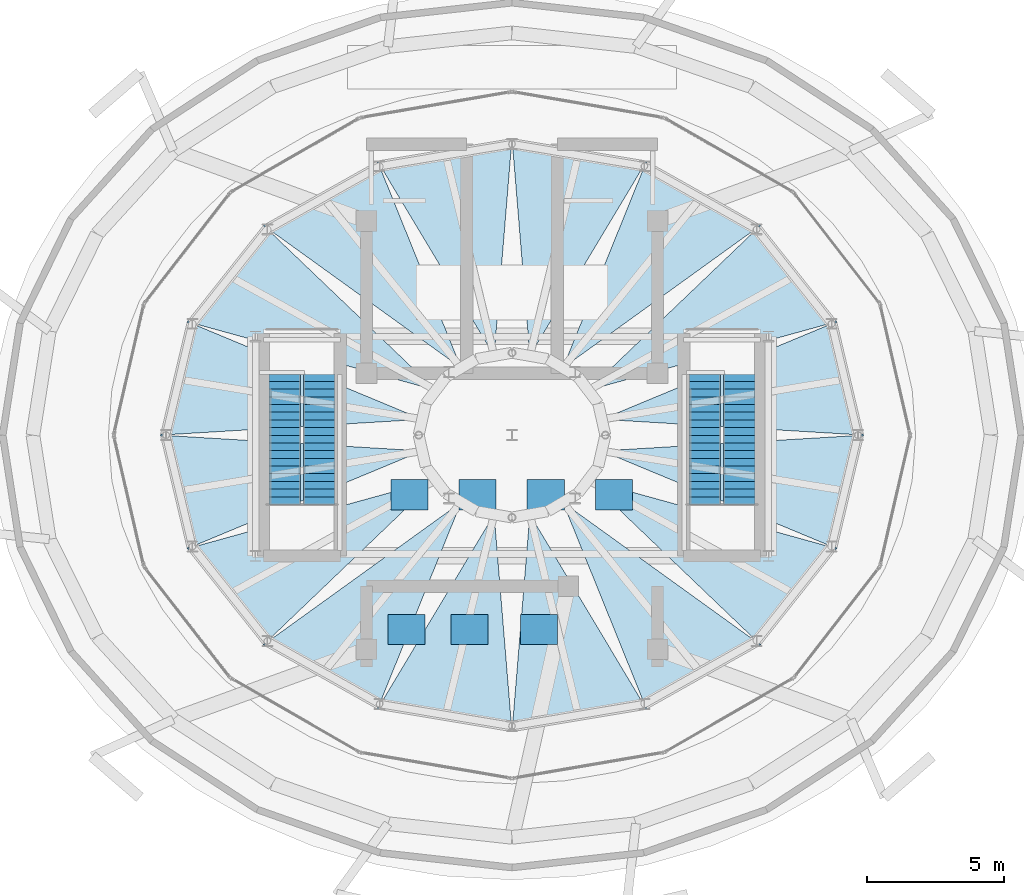
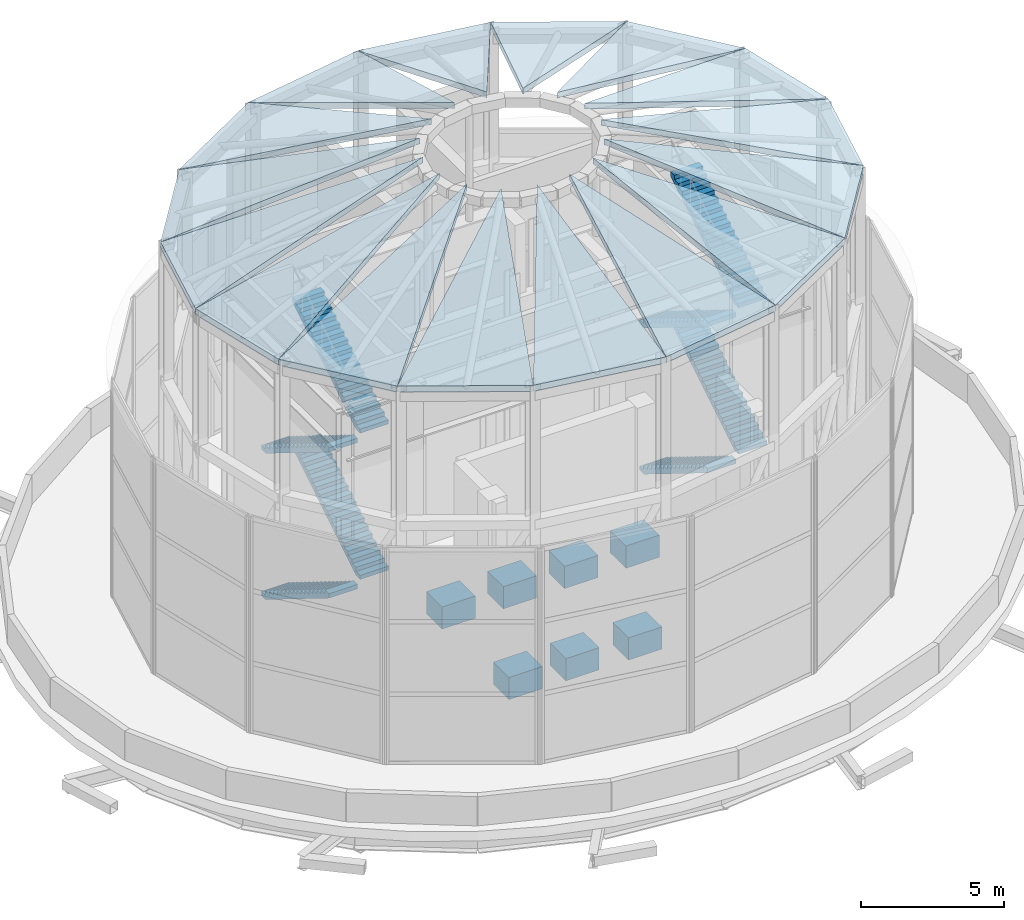
# One storey, part 20 of 22: 16 roofs, 8 stair flights, 7 discrete accessories, 2 elements without a shape of their own.
"""IFC4 building model written with IfcOpenShell, lengths in metres."""

from ifc_helpers import new_model, si_unit, direction, frame, origin, origin_2d, place, context, subcontext, project, spatial, polyline, rectangle, outline, extrude, material, layer, layer_set, type_object, element, aggregate, save


model = new_model("IFC4")

# Units and contexts
model_context = context("Model", 3, precision=1e-05, world=origin(), true_north=direction((0.0, 1.0)))
body_context = subcontext(model_context, "Body", "Model", "MODEL_VIEW")
ifc_project = project(units=[si_unit("LENGTHUNIT", "METRE"), si_unit("AREAUNIT", "SQUARE_METRE"), si_unit("VOLUMEUNIT", "CUBIC_METRE"), si_unit("PLANEANGLEUNIT", "RADIAN"), si_unit("MASSUNIT", "GRAM", prefix="KILO")], contexts=[model_context])

# Site, building, storey
site_placement = place(None, origin())
site = spatial("IfcSite", under=ifc_project, at=site_placement, CompositionType="ELEMENT")
building_placement = place(site_placement, origin())
building = spatial("IfcBuilding", under=site, at=building_placement, Name="Nuhasar Tower", CompositionType="ELEMENT")
storey_placement = place(building_placement, frame((0.0, 0.0, 313.39990234375)))
storey = spatial("IfcBuildingStorey", under=building, at=storey_placement, Name="Roof Drum", CompositionType="ELEMENT", Elevation=313.39990234375)

# Stair, stair flights
ifc_material_1 = material(Name="Concrete C45/55", Category="concrete")
stair_type_1 = type_object("IfcStairType", Name="STR-ST-CRN-1-4F-72R-1736", PredefinedType="HALF_TURN_STAIR", material=ifc_material_1)
stair_1_placement = place(storey_placement, origin())
stair_1 = element("IfcStair", 1, at=stair_1_placement, inside=storey, type_object=stair_type_1, Name="Roof Drum Exit Stair ST-CRN-1", PredefinedType="HALF_TURN_STAIR")
stair_flight_type_1 = type_object("IfcStairFlightType", Name="SFL-ST-CRN-1-18R-1736", PredefinedType="STRAIGHT", material=ifc_material_1)
stair_flight_1_placement = place(storey_placement, frame((30.72509765625, 29.034912109375, 0.0), z_axis=(0.0, 0.0, 1.0), x_axis=(0.0, -1.0, 0.0)))
stair_flight_1 = element("IfcStairFlight", 2, at=stair_flight_1_placement, type_object=stair_flight_type_1, Name="ST-CRN-1 flight 1", NumberOfRisers=18, NumberOfTreads=17, PredefinedType="STRAIGHT", RiserHeight=0.173611, TreadLength=0.28, context=body_context, shape_type="SweptSolid", body=[
    extrude(outline(polyline([(0.0, 0.0), (0.0, 0.173583984375), (0.280029296875, 0.173583984375), (0.280029296875, 0.34716796875), (0.56005859375, 0.34716796875), (0.56005859375, 0.520751953125), (0.840087890625, 0.520751953125), (0.840087890625, 0.6943359375), (1.1201171875, 0.6943359375), (1.1201171875, 0.8681640625), (1.39990234375, 0.8681640625), (1.39990234375, 1.041748046875), (1.679931640625, 1.041748046875), (1.679931640625, 1.21533203125), (1.9599609375, 1.21533203125), (1.9599609375, 1.388916015625), (2.239990234375, 1.388916015625), (2.239990234375, 1.5625), (2.52001953125, 1.5625), (2.52001953125, 1.736083984375), (2.800048828125, 1.736083984375), (2.800048828125, 1.90966796875), (3.080078125, 1.90966796875), (3.080078125, 2.083251953125), (3.360107421875, 2.083251953125), (3.360107421875, 2.2568359375), (3.639892578125, 2.2568359375), (3.639892578125, 2.4306640625), (3.919921875, 2.4306640625), (3.919921875, 2.604248046875), (4.199951171875, 2.604248046875), (4.199951171875, 2.77783203125), (4.47998046875, 2.77783203125), (4.47998046875, 2.951416015625), (4.760009765625, 2.951416015625), (4.760009765625, 3.125), (4.760009765625, 2.76318359375), (0.303466796875, 0.0), (0.0, 0.0)])), frame((0.0, 0.574951171875, 0.0), z_axis=(0.0, -1.0, 0.0), x_axis=(1.0, 0.0, 0.0)), (0.0, 0.0, 1.0), 1.14990234375),
])
stair_flight_2_placement = place(storey_placement, frame((31.97509765625, 24.27490234375, 3.125), z_axis=(0.0, 0.0, 1.0), x_axis=(0.0, 1.0, 0.0)))
stair_flight_2 = element("IfcStairFlight", 3, at=stair_flight_2_placement, type_object=stair_flight_type_1, Name="ST-CRN-1 flight 2", NumberOfRisers=18, NumberOfTreads=17, PredefinedType="STRAIGHT", RiserHeight=0.173611, TreadLength=0.28, context=body_context, shape_type="SweptSolid", body=[
    extrude(outline(polyline([(0.0, 0.0), (0.0, 0.173583984375), (0.280029296875, 0.173583984375), (0.280029296875, 0.34716796875), (0.56005859375, 0.34716796875), (0.56005859375, 0.520751953125), (0.840087890625, 0.520751953125), (0.840087890625, 0.6943359375), (1.1201171875, 0.6943359375), (1.1201171875, 0.8681640625), (1.39990234375, 0.8681640625), (1.39990234375, 1.041748046875), (1.679931640625, 1.041748046875), (1.679931640625, 1.21533203125), (1.9599609375, 1.21533203125), (1.9599609375, 1.388916015625), (2.239990234375, 1.388916015625), (2.239990234375, 1.5625), (2.52001953125, 1.5625), (2.52001953125, 1.736083984375), (2.800048828125, 1.736083984375), (2.800048828125, 1.90966796875), (3.080078125, 1.90966796875), (3.080078125, 2.083251953125), (3.360107421875, 2.083251953125), (3.360107421875, 2.2568359375), (3.639892578125, 2.2568359375), (3.639892578125, 2.4306640625), (3.919921875, 2.4306640625), (3.919921875, 2.604248046875), (4.199951171875, 2.604248046875), (4.199951171875, 2.77783203125), (4.47998046875, 2.77783203125), (4.47998046875, 2.951416015625), (4.760009765625, 2.951416015625), (4.760009765625, 3.125), (4.760009765625, 2.76318359375), (0.303466796875, 0.0), (0.0, 0.0)])), frame((0.0, 0.574951171875, 0.0), z_axis=(0.0, -1.0, 0.0), x_axis=(1.0, 0.0, 0.0)), (0.0, 0.0, 1.0), 1.14990234375),
])
stair_flight_3_placement = place(storey_placement, frame((30.72509765625, 29.034912109375, 6.25), z_axis=(0.0, 0.0, 1.0), x_axis=(0.0, -1.0, 0.0)))
stair_flight_3 = element("IfcStairFlight", 4, at=stair_flight_3_placement, type_object=stair_flight_type_1, Name="ST-CRN-1 flight 3", NumberOfRisers=18, NumberOfTreads=17, PredefinedType="STRAIGHT", RiserHeight=0.173611, TreadLength=0.28, context=body_context, shape_type="SweptSolid", body=[
    extrude(outline(polyline([(0.0, 0.0), (0.0, 0.173583984375), (0.280029296875, 0.173583984375), (0.280029296875, 0.34716796875), (0.56005859375, 0.34716796875), (0.56005859375, 0.520751953125), (0.840087890625, 0.520751953125), (0.840087890625, 0.6943359375), (1.1201171875, 0.6943359375), (1.1201171875, 0.8681640625), (1.39990234375, 0.8681640625), (1.39990234375, 1.041748046875), (1.679931640625, 1.041748046875), (1.679931640625, 1.21533203125), (1.9599609375, 1.21533203125), (1.9599609375, 1.388916015625), (2.239990234375, 1.388916015625), (2.239990234375, 1.5625), (2.52001953125, 1.5625), (2.52001953125, 1.736083984375), (2.800048828125, 1.736083984375), (2.800048828125, 1.90966796875), (3.080078125, 1.90966796875), (3.080078125, 2.083251953125), (3.360107421875, 2.083251953125), (3.360107421875, 2.2568359375), (3.639892578125, 2.2568359375), (3.639892578125, 2.4306640625), (3.919921875, 2.4306640625), (3.919921875, 2.604248046875), (4.199951171875, 2.604248046875), (4.199951171875, 2.77783203125), (4.47998046875, 2.77783203125), (4.47998046875, 2.951416015625), (4.760009765625, 2.951416015625), (4.760009765625, 3.125), (4.760009765625, 2.76318359375), (0.303466796875, 0.0), (0.0, 0.0)])), frame((0.0, 0.574951171875, 0.0), z_axis=(0.0, -1.0, 0.0), x_axis=(1.0, 0.0, 0.0)), (0.0, 0.0, 1.0), 1.14990234375),
])
stair_flight_4_placement = place(storey_placement, frame((31.97509765625, 24.27490234375, 9.375), z_axis=(0.0, 0.0, 1.0), x_axis=(0.0, 1.0, 0.0)))
stair_flight_4 = element("IfcStairFlight", 5, at=stair_flight_4_placement, type_object=stair_flight_type_1, Name="ST-CRN-1 flight 4", NumberOfRisers=18, NumberOfTreads=17, PredefinedType="STRAIGHT", RiserHeight=0.173611, TreadLength=0.28, context=body_context, shape_type="SweptSolid", body=[
    extrude(outline(polyline([(0.0, 0.0), (0.0, 0.173583984375), (0.280029296875, 0.173583984375), (0.280029296875, 0.34716796875), (0.56005859375, 0.34716796875), (0.56005859375, 0.520751953125), (0.840087890625, 0.520751953125), (0.840087890625, 0.6943359375), (1.1201171875, 0.6943359375), (1.1201171875, 0.8681640625), (1.39990234375, 0.8681640625), (1.39990234375, 1.041748046875), (1.679931640625, 1.041748046875), (1.679931640625, 1.21533203125), (1.9599609375, 1.21533203125), (1.9599609375, 1.388916015625), (2.239990234375, 1.388916015625), (2.239990234375, 1.5625), (2.52001953125, 1.5625), (2.52001953125, 1.736083984375), (2.800048828125, 1.736083984375), (2.800048828125, 1.90966796875), (3.080078125, 1.90966796875), (3.080078125, 2.083251953125), (3.360107421875, 2.083251953125), (3.360107421875, 2.2568359375), (3.639892578125, 2.2568359375), (3.639892578125, 2.4306640625), (3.919921875, 2.4306640625), (3.919921875, 2.604248046875), (4.199951171875, 2.604248046875), (4.199951171875, 2.77783203125), (4.47998046875, 2.77783203125), (4.47998046875, 2.951416015625), (4.760009765625, 2.951416015625), (4.760009765625, 3.125), (4.760009765625, 2.76318359375), (0.303466796875, 0.0), (0.0, 0.0)])), frame((0.0, 0.574951171875, 0.0), z_axis=(0.0, -1.0, 0.0), x_axis=(1.0, 0.0, 0.0)), (0.0, 0.0, 1.0), 1.14990234375),
])
aggregate(stair_1, [stair_flight_1, stair_flight_2, stair_flight_3, stair_flight_4])

stair_type_2 = type_object("IfcStairType", Name="STR-ST-CRN-2-4F-72R-1736", PredefinedType="HALF_TURN_STAIR", material=ifc_material_1)
stair_2_placement = place(storey_placement, origin())
stair_2 = element("IfcStair", 6, at=stair_2_placement, inside=storey, type_object=stair_type_2, Name="Roof Drum Exit Stair ST-CRN-2", PredefinedType="HALF_TURN_STAIR")
stair_flight_type_2 = type_object("IfcStairFlightType", Name="SFL-ST-CRN-2-18R-1736", PredefinedType="STRAIGHT", material=ifc_material_1)
stair_flight_5_placement = place(storey_placement, frame((46.02490234375, 29.034912109375, 0.0), z_axis=(0.0, 0.0, 1.0), x_axis=(0.0, -1.0, 0.0)))
stair_flight_5 = element("IfcStairFlight", 7, at=stair_flight_5_placement, type_object=stair_flight_type_2, Name="ST-CRN-2 flight 1", NumberOfRisers=18, NumberOfTreads=17, PredefinedType="STRAIGHT", RiserHeight=0.173611, TreadLength=0.28, context=body_context, shape_type="SweptSolid", body=[
    extrude(outline(polyline([(0.0, 0.0), (0.0, 0.173583984375), (0.280029296875, 0.173583984375), (0.280029296875, 0.34716796875), (0.56005859375, 0.34716796875), (0.56005859375, 0.520751953125), (0.840087890625, 0.520751953125), (0.840087890625, 0.6943359375), (1.1201171875, 0.6943359375), (1.1201171875, 0.8681640625), (1.39990234375, 0.8681640625), (1.39990234375, 1.041748046875), (1.679931640625, 1.041748046875), (1.679931640625, 1.21533203125), (1.9599609375, 1.21533203125), (1.9599609375, 1.388916015625), (2.239990234375, 1.388916015625), (2.239990234375, 1.5625), (2.52001953125, 1.5625), (2.52001953125, 1.736083984375), (2.800048828125, 1.736083984375), (2.800048828125, 1.90966796875), (3.080078125, 1.90966796875), (3.080078125, 2.083251953125), (3.360107421875, 2.083251953125), (3.360107421875, 2.2568359375), (3.639892578125, 2.2568359375), (3.639892578125, 2.4306640625), (3.919921875, 2.4306640625), (3.919921875, 2.604248046875), (4.199951171875, 2.604248046875), (4.199951171875, 2.77783203125), (4.47998046875, 2.77783203125), (4.47998046875, 2.951416015625), (4.760009765625, 2.951416015625), (4.760009765625, 3.125), (4.760009765625, 2.76318359375), (0.303466796875, 0.0), (0.0, 0.0)])), frame((0.0, 0.574951171875, 0.0), z_axis=(0.0, -1.0, 0.0), x_axis=(1.0, 0.0, 0.0)), (0.0, 0.0, 1.0), 1.14990234375),
])
stair_flight_6_placement = place(storey_placement, frame((47.27490234375, 24.27490234375, 3.125), z_axis=(0.0, 0.0, 1.0), x_axis=(0.0, 1.0, 0.0)))
stair_flight_6 = element("IfcStairFlight", 8, at=stair_flight_6_placement, type_object=stair_flight_type_2, Name="ST-CRN-2 flight 2", NumberOfRisers=18, NumberOfTreads=17, PredefinedType="STRAIGHT", RiserHeight=0.173611, TreadLength=0.28, context=body_context, shape_type="SweptSolid", body=[
    extrude(outline(polyline([(0.0, 0.0), (0.0, 0.173583984375), (0.280029296875, 0.173583984375), (0.280029296875, 0.34716796875), (0.56005859375, 0.34716796875), (0.56005859375, 0.520751953125), (0.840087890625, 0.520751953125), (0.840087890625, 0.6943359375), (1.1201171875, 0.6943359375), (1.1201171875, 0.8681640625), (1.39990234375, 0.8681640625), (1.39990234375, 1.041748046875), (1.679931640625, 1.041748046875), (1.679931640625, 1.21533203125), (1.9599609375, 1.21533203125), (1.9599609375, 1.388916015625), (2.239990234375, 1.388916015625), (2.239990234375, 1.5625), (2.52001953125, 1.5625), (2.52001953125, 1.736083984375), (2.800048828125, 1.736083984375), (2.800048828125, 1.90966796875), (3.080078125, 1.90966796875), (3.080078125, 2.083251953125), (3.360107421875, 2.083251953125), (3.360107421875, 2.2568359375), (3.639892578125, 2.2568359375), (3.639892578125, 2.4306640625), (3.919921875, 2.4306640625), (3.919921875, 2.604248046875), (4.199951171875, 2.604248046875), (4.199951171875, 2.77783203125), (4.47998046875, 2.77783203125), (4.47998046875, 2.951416015625), (4.760009765625, 2.951416015625), (4.760009765625, 3.125), (4.760009765625, 2.76318359375), (0.303466796875, 0.0), (0.0, 0.0)])), frame((0.0, 0.574951171875, 0.0), z_axis=(0.0, -1.0, 0.0), x_axis=(1.0, 0.0, 0.0)), (0.0, 0.0, 1.0), 1.14990234375),
])
stair_flight_7_placement = place(storey_placement, frame((46.02490234375, 29.034912109375, 6.25), z_axis=(0.0, 0.0, 1.0), x_axis=(0.0, -1.0, 0.0)))
stair_flight_7 = element("IfcStairFlight", 9, at=stair_flight_7_placement, type_object=stair_flight_type_2, Name="ST-CRN-2 flight 3", NumberOfRisers=18, NumberOfTreads=17, PredefinedType="STRAIGHT", RiserHeight=0.173611, TreadLength=0.28, context=body_context, shape_type="SweptSolid", body=[
    extrude(outline(polyline([(0.0, 0.0), (0.0, 0.173583984375), (0.280029296875, 0.173583984375), (0.280029296875, 0.34716796875), (0.56005859375, 0.34716796875), (0.56005859375, 0.520751953125), (0.840087890625, 0.520751953125), (0.840087890625, 0.6943359375), (1.1201171875, 0.6943359375), (1.1201171875, 0.8681640625), (1.39990234375, 0.8681640625), (1.39990234375, 1.041748046875), (1.679931640625, 1.041748046875), (1.679931640625, 1.21533203125), (1.9599609375, 1.21533203125), (1.9599609375, 1.388916015625), (2.239990234375, 1.388916015625), (2.239990234375, 1.5625), (2.52001953125, 1.5625), (2.52001953125, 1.736083984375), (2.800048828125, 1.736083984375), (2.800048828125, 1.90966796875), (3.080078125, 1.90966796875), (3.080078125, 2.083251953125), (3.360107421875, 2.083251953125), (3.360107421875, 2.2568359375), (3.639892578125, 2.2568359375), (3.639892578125, 2.4306640625), (3.919921875, 2.4306640625), (3.919921875, 2.604248046875), (4.199951171875, 2.604248046875), (4.199951171875, 2.77783203125), (4.47998046875, 2.77783203125), (4.47998046875, 2.951416015625), (4.760009765625, 2.951416015625), (4.760009765625, 3.125), (4.760009765625, 2.76318359375), (0.303466796875, 0.0), (0.0, 0.0)])), frame((0.0, 0.574951171875, 0.0), z_axis=(0.0, -1.0, 0.0), x_axis=(1.0, 0.0, 0.0)), (0.0, 0.0, 1.0), 1.14990234375),
])
stair_flight_8_placement = place(storey_placement, frame((47.27490234375, 24.27490234375, 9.375), z_axis=(0.0, 0.0, 1.0), x_axis=(0.0, 1.0, 0.0)))
stair_flight_8 = element("IfcStairFlight", 10, at=stair_flight_8_placement, type_object=stair_flight_type_2, Name="ST-CRN-2 flight 4", NumberOfRisers=18, NumberOfTreads=17, PredefinedType="STRAIGHT", RiserHeight=0.173611, TreadLength=0.28, context=body_context, shape_type="SweptSolid", body=[
    extrude(outline(polyline([(0.0, 0.0), (0.0, 0.173583984375), (0.280029296875, 0.173583984375), (0.280029296875, 0.34716796875), (0.56005859375, 0.34716796875), (0.56005859375, 0.520751953125), (0.840087890625, 0.520751953125), (0.840087890625, 0.6943359375), (1.1201171875, 0.6943359375), (1.1201171875, 0.8681640625), (1.39990234375, 0.8681640625), (1.39990234375, 1.041748046875), (1.679931640625, 1.041748046875), (1.679931640625, 1.21533203125), (1.9599609375, 1.21533203125), (1.9599609375, 1.388916015625), (2.239990234375, 1.388916015625), (2.239990234375, 1.5625), (2.52001953125, 1.5625), (2.52001953125, 1.736083984375), (2.800048828125, 1.736083984375), (2.800048828125, 1.90966796875), (3.080078125, 1.90966796875), (3.080078125, 2.083251953125), (3.360107421875, 2.083251953125), (3.360107421875, 2.2568359375), (3.639892578125, 2.2568359375), (3.639892578125, 2.4306640625), (3.919921875, 2.4306640625), (3.919921875, 2.604248046875), (4.199951171875, 2.604248046875), (4.199951171875, 2.77783203125), (4.47998046875, 2.77783203125), (4.47998046875, 2.951416015625), (4.760009765625, 2.951416015625), (4.760009765625, 3.125), (4.760009765625, 2.76318359375), (0.303466796875, 0.0), (0.0, 0.0)])), frame((0.0, 0.574951171875, 0.0), z_axis=(0.0, -1.0, 0.0), x_axis=(1.0, 0.0, 0.0)), (0.0, 0.0, 1.0), 1.14990234375),
])
aggregate(stair_2, [stair_flight_5, stair_flight_6, stair_flight_7, stair_flight_8])

# Roofs
ifc_material_2 = material(Name="Aluminium 6063-T6", Category="aluminium")
ifc_layer = layer(ifc_material_2, 0.239990234375)
ifc_layer_set = layer_set([ifc_layer], Name="Aluminium 6063-T6")
roof_type = type_object("IfcRoofType", Name="ROOF-CROWN-DOME", PredefinedType="DOME_ROOF", material=ifc_layer_set)
roof_1_placement = place(storey_placement, frame((51.800048828125, 26.800048828125, 15.0), z_axis=(0.284982674428, 0.067167633703, 0.95617643992), x_axis=(-0.229404645837, 0.973331140193, 0.0)))
element("IfcRoof", 11, at=roof_1_placement, inside=storey, type_object=roof_type, Name="Crown Dome Roof Facet 01", PredefinedType="DOME_ROOF", context=body_context, shape_type="SweptSolid", body=[
    extrude(outline(polyline([(0.0, 0.0), (4.246300637013718, -1.1102230246251565e-16), (2.7449003566468977, 9.563299677593864), (0.0, 0.0)])), origin(), (0.0, -0.292791078657, -0.95617643992), 0.2509765625),
])
roof_2_placement = place(storey_placement, frame((50.825927734375, 30.93310546875, 15.0), z_axis=(0.241469623926, 0.191230751501, 0.951379640523), x_axis=(-0.620837246695, 0.78393948307, 0.0)))
element("IfcRoof", 12, at=roof_2_placement, inside=storey, type_object=roof_type, Name="Crown Dome Roof Facet 02", PredefinedType="DOME_ROOF", context=body_context, shape_type="SweptSolid", body=[
    extrude(outline(polyline([(0.0, 0.0), (4.469613185292247, 0.0), (3.6613431142595525, 9.090455334310294), (0.0, 0.0)])), origin(), (0.0, -0.308020745403, -0.951379640523), 0.252197265625),
])
roof_3_placement = place(storey_placement, frame((48.051025390625, 34.43701171875, 15.0), z_axis=(0.161205880617, 0.28598114873, 0.944577919828), x_axis=(-0.871130701774, 0.491051219759, 0.0)))
element("IfcRoof", 13, at=roof_3_placement, inside=storey, type_object=roof_type, Name="Crown Dome Roof Facet 03", PredefinedType="DOME_ROOF", context=body_context, shape_type="SweptSolid", body=[
    extrude(outline(polyline([(0.0, 0.0), (4.767454715367663, 0.0), (3.721390489722288, 8.52926324508727), (0.0, 0.0)])), origin(), (0.0, -0.328287303096, -0.944577919828), 0.254150390625),
])
roof_4_placement = place(storey_placement, frame((43.89794921875, 36.778076171875, 15.0), z_axis=(0.056582768505, 0.337143897161, 0.939751234591), x_axis=(-0.986207289345, 0.165514900968, 0.0)))
element("IfcRoof", 14, at=roof_4_placement, inside=storey, type_object=roof_type, Name="Crown Dome Roof Facet 04", PredefinedType="DOME_ROOF", context=body_context, shape_type="SweptSolid", body=[
    extrude(outline(polyline([(0.0, 0.0), (4.96645002695364, -2.220446049250313e-16), (3.0146532341848546, 8.190652679984002), (0.0, 0.0)])), origin(), (0.0, -0.341859060264, -0.939751234591), 0.25537109375),
])
roof_5_placement = place(storey_placement, frame((39.0, 37.60009765625, 15.0), z_axis=(-0.056582768505, 0.337143897161, 0.939751234591), x_axis=(-0.986207289345, -0.165514900968, 0.0)))
element("IfcRoof", 15, at=roof_5_placement, inside=storey, type_object=roof_type, Name="Crown Dome Roof Facet 05", PredefinedType="DOME_ROOF", context=body_context, shape_type="SweptSolid", body=[
    extrude(outline(polyline([(0.0, 0.0), (4.96645002695364, 2.220446049250313e-16), (1.951796792768786, 8.190652679984002), (0.0, 0.0)])), origin(), (0.0, -0.341859060264, -0.939751234591), 0.25537109375),
])
roof_6_placement = place(storey_placement, frame((34.10205078125, 36.778076171875, 15.0), z_axis=(-0.161205880617, 0.28598114873, 0.944577919828), x_axis=(-0.871130701774, -0.491051219759, 0.0)))
element("IfcRoof", 16, at=roof_6_placement, inside=storey, type_object=roof_type, Name="Crown Dome Roof Facet 06", PredefinedType="DOME_ROOF", context=body_context, shape_type="SweptSolid", body=[
    extrude(outline(polyline([(0.0, 0.0), (4.767454715367663, 0.0), (1.0460642256453743, 8.52926324508727), (0.0, 0.0)])), origin(), (0.0, -0.328287303096, -0.944577919828), 0.254150390625),
])
roof_7_placement = place(storey_placement, frame((29.948974609375, 34.43701171875, 15.0), z_axis=(-0.241469623926, 0.191230751501, 0.951379640523), x_axis=(-0.620837246695, -0.78393948307, 0.0)))
element("IfcRoof", 17, at=roof_7_placement, inside=storey, type_object=roof_type, Name="Crown Dome Roof Facet 07", PredefinedType="DOME_ROOF", context=body_context, shape_type="SweptSolid", body=[
    extrude(outline(polyline([(0.0, 0.0), (4.469613185292247, 0.0), (0.8082700710326947, 9.090455334310294), (0.0, 0.0)])), origin(), (0.0, -0.308020745403, -0.951379640523), 0.252197265625),
])
roof_8_placement = place(storey_placement, frame((27.174072265625, 30.93310546875, 15.0), z_axis=(-0.284982674428, 0.067167633703, 0.95617643992), x_axis=(-0.229404645837, -0.973331140193, 0.0)))
element("IfcRoof", 18, at=roof_8_placement, inside=storey, type_object=roof_type, Name="Crown Dome Roof Facet 08", PredefinedType="DOME_ROOF", context=body_context, shape_type="SweptSolid", body=[
    extrude(outline(polyline([(0.0, 0.0), (4.246300637013718, 1.1102230246251565e-16), (1.5014002803668205, 9.563299677593864), (0.0, 0.0)])), origin(), (0.0, -0.292791078657, -0.95617643992), 0.2509765625),
])
roof_9_placement = place(storey_placement, frame((26.199951171875, 26.800048828125, 15.0), z_axis=(-0.284982674428, -0.067167633703, 0.95617643992), x_axis=(0.229404645837, -0.973331140193, 0.0)))
element("IfcRoof", 19, at=roof_9_placement, inside=storey, type_object=roof_type, Name="Crown Dome Roof Facet 09", PredefinedType="DOME_ROOF", context=body_context, shape_type="SweptSolid", body=[
    extrude(outline(polyline([(0.0, 0.0), (4.246300637013718, -1.1102230246251565e-16), (2.7449003566468977, 9.563299677593864), (0.0, 0.0)])), origin(), (0.0, -0.292791078657, -0.95617643992), 0.2509765625),
])
roof_10_placement = place(storey_placement, frame((27.174072265625, 22.6669921875, 15.0), z_axis=(-0.241469623926, -0.191230751501, 0.951379640523), x_axis=(0.620837246695, -0.78393948307, 0.0)))
element("IfcRoof", 20, at=roof_10_placement, inside=storey, type_object=roof_type, Name="Crown Dome Roof Facet 10", PredefinedType="DOME_ROOF", context=body_context, shape_type="SweptSolid", body=[
    extrude(outline(polyline([(0.0, 0.0), (4.469613185292247, 0.0), (3.6613431142595525, 9.090455334310294), (0.0, 0.0)])), origin(), (0.0, -0.308020745403, -0.951379640523), 0.252197265625),
])
roof_11_placement = place(storey_placement, frame((29.948974609375, 19.1630859375, 15.0), z_axis=(-0.161221069609, -0.286008094182, 0.944567169013), x_axis=(0.871130701774, -0.491051219759, 0.0)))
element("IfcRoof", 21, at=roof_11_placement, inside=storey, type_object=roof_type, Name="Crown Dome Roof Facet 11", PredefinedType="DOME_ROOF", context=body_context, shape_type="SweptSolid", body=[
    extrude(outline(polyline([(0.0, 0.0), (4.767454715367663, 0.0), (3.721870031929084, 8.528459684400046), (0.0, 0.0)])), origin(), (0.0, -0.32831823468, -0.944567169013), 0.254150390625),
])
roof_12_placement = place(storey_placement, frame((34.10205078125, 16.822021484375, 15.0), z_axis=(-0.056582768505, -0.337143897161, 0.939751234591), x_axis=(0.986207289345, -0.165514900968, 0.0)))
element("IfcRoof", 22, at=roof_12_placement, inside=storey, type_object=roof_type, Name="Crown Dome Roof Facet 12", PredefinedType="DOME_ROOF", context=body_context, shape_type="SweptSolid", body=[
    extrude(outline(polyline([(0.0, 0.0), (4.96645002695364, -2.220446049250313e-16), (3.0146532341848546, 8.190652679984002), (0.0, 0.0)])), origin(), (0.0, -0.341859060264, -0.939751234591), 0.25537109375),
])
roof_13_placement = place(storey_placement, frame((39.0, 16.0, 15.0), z_axis=(0.056582768505, -0.337143897161, 0.939751234591), x_axis=(0.986207289345, 0.165514900968, 0.0)))
element("IfcRoof", 23, at=roof_13_placement, inside=storey, type_object=roof_type, Name="Crown Dome Roof Facet 13", PredefinedType="DOME_ROOF", context=body_context, shape_type="SweptSolid", body=[
    extrude(outline(polyline([(0.0, 0.0), (4.96645002695364, 2.220446049250313e-16), (1.951796792768786, 8.190652679984002), (0.0, 0.0)])), origin(), (0.0, -0.341859060264, -0.939751234591), 0.25537109375),
])
roof_14_placement = place(storey_placement, frame((43.89794921875, 16.822021484375, 15.0), z_axis=(0.161221069609, -0.286008094182, 0.944567169013), x_axis=(0.871130701774, 0.491051219759, 0.0)))
element("IfcRoof", 24, at=roof_14_placement, inside=storey, type_object=roof_type, Name="Crown Dome Roof Facet 14", PredefinedType="DOME_ROOF", context=body_context, shape_type="SweptSolid", body=[
    extrude(outline(polyline([(0.0, 0.0), (4.767454715367663, 0.0), (1.045584683438579, 8.528459684400046), (0.0, 0.0)])), origin(), (0.0, -0.32831823468, -0.944567169013), 0.254150390625),
])
roof_15_placement = place(storey_placement, frame((48.051025390625, 19.1630859375, 15.0), z_axis=(0.241469623926, -0.191230751501, 0.951379640523), x_axis=(0.620837246695, 0.78393948307, 0.0)))
element("IfcRoof", 25, at=roof_15_placement, inside=storey, type_object=roof_type, Name="Crown Dome Roof Facet 15", PredefinedType="DOME_ROOF", context=body_context, shape_type="SweptSolid", body=[
    extrude(outline(polyline([(0.0, 0.0), (4.469613185292247, 0.0), (0.8082700710326947, 9.090455334310294), (0.0, 0.0)])), origin(), (0.0, -0.308020745403, -0.951379640523), 0.252197265625),
])
roof_16_placement = place(storey_placement, frame((50.825927734375, 22.6669921875, 15.0), z_axis=(0.284982674428, -0.067167633703, 0.95617643992), x_axis=(0.229404645837, 0.973331140193, 0.0)))
element("IfcRoof", 26, at=roof_16_placement, inside=storey, type_object=roof_type, Name="Crown Dome Roof Facet 16", PredefinedType="DOME_ROOF", context=body_context, shape_type="SweptSolid", body=[
    extrude(outline(polyline([(0.0, 0.0), (4.246300637013718, 1.1102230246251565e-16), (1.5014002803668205, 9.563299677593864), (0.0, 0.0)])), origin(), (0.0, -0.292791078657, -0.95617643992), 0.2509765625),
])

# Discrete accessories
ifc_material_3 = material(Name="Steel S355", Category="steel")
discrete_accessory_type = type_object("IfcDiscreteAccessoryType", Name="ACC-LFT-MACHINE", PredefinedType="USERDEFINED", material=ifc_material_3)
for number, where, z_axis, x_axis, name in (
    (27, (35.27001953125, 24.625, 0.0), (0.0, 0.0, 1.0), (1.0, 0.0, 0.0), "Lift Traction Hoist Machine PL-H01"),
    (28, (37.75, 24.625, 0.0), (0.0, 0.0, 1.0), (1.0, 0.0, 0.0), "Lift Traction Hoist Machine PL-H02"),
    (29, (40.22998046875, 24.625, 0.0), (0.0, 0.0, 1.0), (1.0, 0.0, 0.0), "Lift Traction Hoist Machine PL-H03"),
    (30, (42.7099609375, 24.625, 0.0), (0.0, 0.0, 1.0), (1.0, 0.0, 0.0), "Lift Traction Hoist Machine PL-H04"),
    (31, (35.14990234375, 19.72509765625, 0.0), (0.0, 0.0, 1.0), (1.0, 0.0, 0.0), "Lift Traction Hoist Machine FFL-01"),
    (32, (37.449951171875, 19.72509765625, 0.0), (0.0, 0.0, 1.0), (1.0, 0.0, 0.0), "Lift Traction Hoist Machine FFL-02"),
    (33, (39.985107421875, 19.72509765625, 0.0), (0.0, 0.0, 1.0), (1.0, 0.0, 0.0), "Lift Traction Hoist Machine SVL-01"),
):
    element("IfcDiscreteAccessory", number, at=place(storey_placement, frame(where, z_axis=z_axis, x_axis=x_axis)), inside=storey, type_object=discrete_accessory_type, Name=name, ObjectType="LIFT_TRACTION_MACHINE", PredefinedType="USERDEFINED", context=body_context, shape_type="SweptSolid", body=[
        extrude(rectangle(XDim=1.35009765625, YDim=1.10009765625, at=origin_2d()), origin(), (0.0, 0.0, 1.0), 0.949951171875),
    ])

save(model, "model.ifc")
